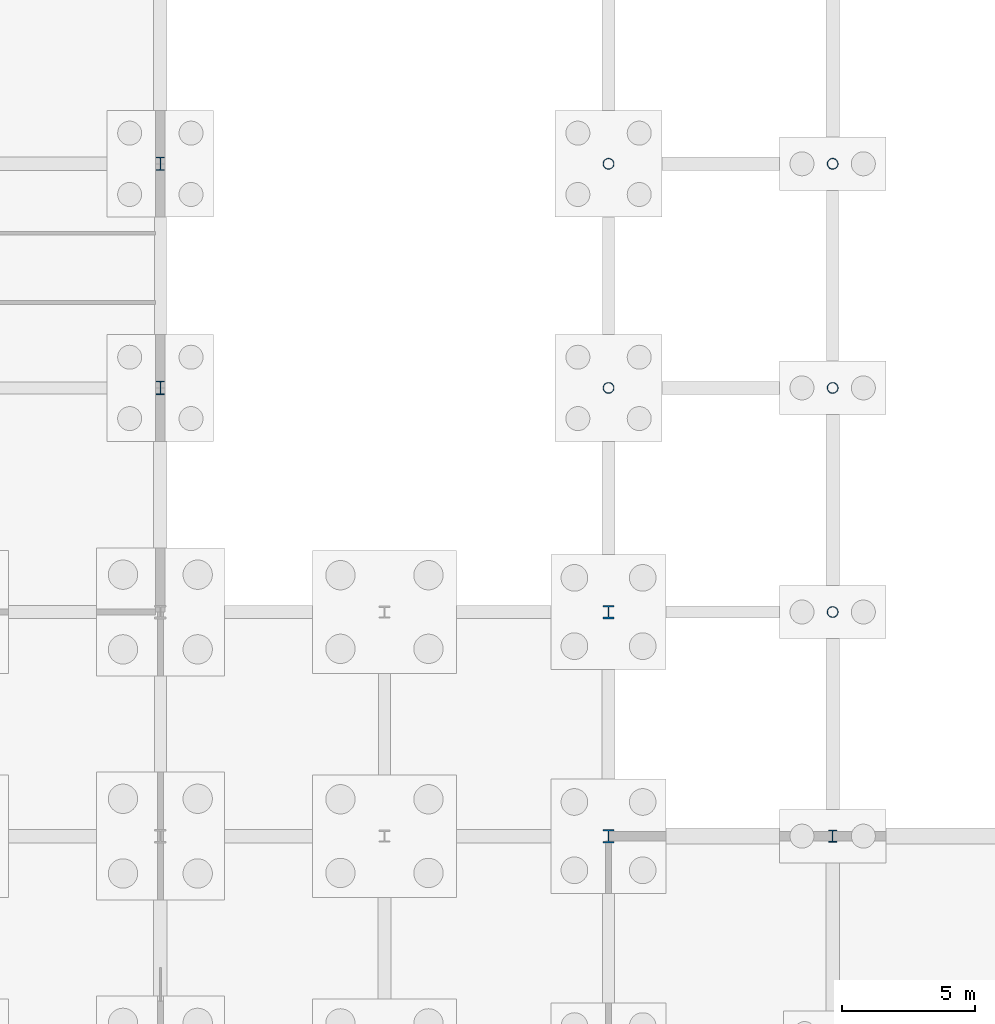
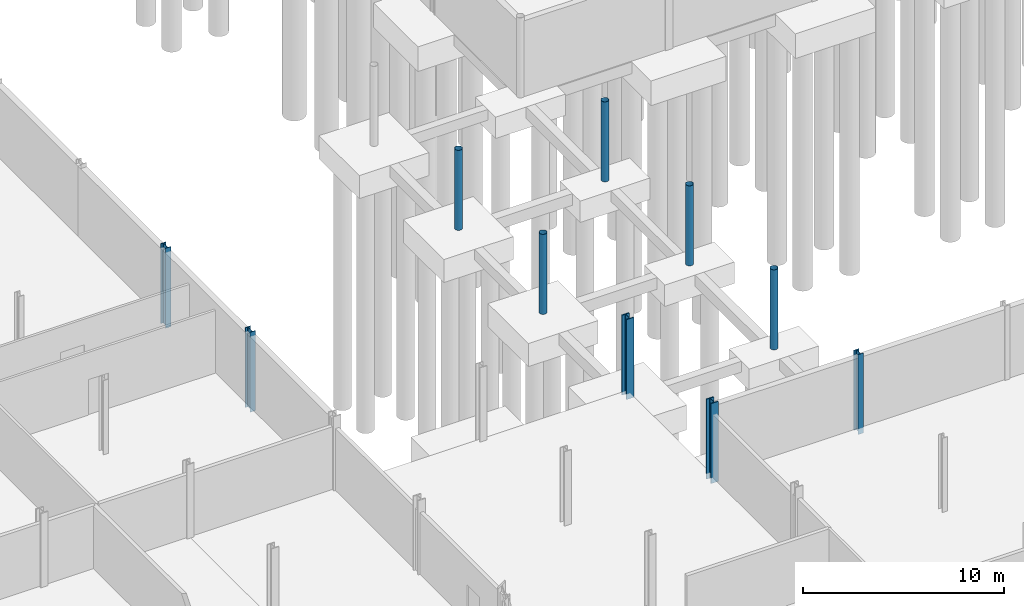
# One storey, part 15 of 51: 10 columns.
"""IFC4 building model written with IfcOpenShell, lengths in metres."""

from ifc_helpers import new_model, si_unit, direction, frame, origin, origin_2d, place, context, subcontext, project, spatial, hollow_circle, i_section, extrude, material, material_profile, profile_set, type_object, element, save


model = new_model("IFC4")

# Units and contexts
model_context = context("Model", 3, precision=1e-05, world=origin(), true_north=direction((0.0, 1.0)))
body_context = subcontext(model_context, "Body", "Model", "MODEL_VIEW")
ifc_project = project(units=[si_unit("LENGTHUNIT", "METRE"), si_unit("AREAUNIT", "SQUARE_METRE"), si_unit("VOLUMEUNIT", "CUBIC_METRE"), si_unit("PLANEANGLEUNIT", "RADIAN"), si_unit("MASSUNIT", "GRAM", prefix="KILO")], contexts=[model_context])

# Site, building, storey
site_placement = place(None, origin())
site = spatial("IfcSite", under=ifc_project, at=site_placement, CompositionType="ELEMENT")
building_placement = place(site_placement, origin())
building = spatial("IfcBuilding", under=site, at=building_placement, Name="Qalvenar Corner Mobility Hub", CompositionType="ELEMENT")
storey_placement = place(building_placement, frame((0.0, 0.0, -4.5)))
storey = spatial("IfcBuildingStorey", under=building, at=storey_placement, Name="B1", CompositionType="ELEMENT", Elevation=-4.5)

# Columns
ifc_material = material(Name="Steel S355", Category="steel")
ifc_material_profile_1 = material_profile(ifc_material, hollow_circle(Radius=0.203125, WallThickness=0.012451171875, at=origin_2d()), Name="CHS406.4x12.5")
ifc_profile_set_1 = profile_set([ifc_material_profile_1], Name="Steel S355")
column_type_1 = type_object("IfcColumnType", Name="COL-CHS406", PredefinedType="COLUMN", material=ifc_profile_set_1)
for number, where, z_axis, x_axis, name in (
    (1, (50.39990234375, 50.39990234375, -0.35009765625), (0.0, 0.0, 1.0), (1.0, 0.0, 0.0), "Steel Column B1-G7-6"),
    (2, (50.39990234375, 58.800048828125, -0.35009765625), (0.0, 0.0, 1.0), (1.0, 0.0, 0.0), "Steel Column B1-G7-7"),
    (3, (58.800048828125, 42.0, -0.35009765625), (0.0, 0.0, 1.0), (1.0, 0.0, 0.0), "Steel Column B1-G8-5"),
    (4, (58.800048828125, 50.39990234375, -0.35009765625), (0.0, 0.0, 1.0), (1.0, 0.0, 0.0), "Steel Column B1-G8-6"),
    (5, (58.800048828125, 58.800048828125, -0.35009765625), (0.0, 0.0, 1.0), (1.0, 0.0, 0.0), "Steel Column B1-G8-7"),
):
    element("IfcColumn", number, at=place(storey_placement, frame(where, z_axis=z_axis, x_axis=x_axis)), inside=storey, type_object=column_type_1, Name=name, PredefinedType="COLUMN", context=body_context, shape_type="SweptSolid", body=[
        extrude(hollow_circle(Radius=0.203125, WallThickness=0.012451171875, at=origin_2d()), origin(), (0.0, 0.0, 1.0), 4.85009765625),
    ])
ifc_material_profile_2 = material_profile(ifc_material, i_section(OverallWidth=0.419921875, OverallDepth=0.5048828125, WebThickness=0.03662109375, FlangeThickness=0.05908203125, FilletRadius=0.014892578125, at=origin_2d()), Name="HD400x551")
ifc_profile_set_2 = profile_set([ifc_material_profile_2], Name="Steel S355")
column_type_2 = type_object("IfcColumnType", Name="COL-HD400X463", PredefinedType="COLUMN", material=ifc_profile_set_2)
for number, where, z_axis, x_axis, name in (
    (6, (50.39990234375, 33.60009765625, -0.35009765625), (0.0, 0.0, 1.0), (1.0, 0.0, 0.0), "Steel Column B1-G7-4"),
    (7, (50.39990234375, 42.0, -0.35009765625), (0.0, 0.0, 1.0), (1.0, 0.0, 0.0), "Steel Column B1-G7-5"),
):
    element("IfcColumn", number, at=place(storey_placement, frame(where, z_axis=z_axis, x_axis=x_axis)), inside=storey, type_object=column_type_2, Name=name, PredefinedType="COLUMN", context=body_context, shape_type="SweptSolid", body=[
        extrude(i_section(OverallWidth=0.419921875, OverallDepth=0.5048828125, WebThickness=0.03662109375, FlangeThickness=0.05908203125, FilletRadius=0.014892578125, at=origin_2d()), origin(), (0.0, 0.0, 1.0), 4.85009765625),
    ])
ifc_material_profile_3 = material_profile(ifc_material, i_section(OverallWidth=0.300048828125, OverallDepth=0.449951171875, WebThickness=0.013916015625, FlangeThickness=0.02587890625, FilletRadius=0.027099609375, at=origin_2d()), Name="HEB450")
ifc_profile_set_3 = profile_set([ifc_material_profile_3], Name="Steel S355")
column_type_3 = type_object("IfcColumnType", Name="COL-HEB450", PredefinedType="COLUMN", material=ifc_profile_set_3)
column_placement = place(storey_placement, frame((58.800048828125, 33.60009765625, -0.35009765625), z_axis=(0.0, 0.0, 1.0), x_axis=(1.0, 0.0, 0.0)))
element("IfcColumn", 8, at=column_placement, inside=storey, type_object=column_type_3, Name="Steel Column B1-G8-4", PredefinedType="COLUMN", context=body_context, shape_type="SweptSolid", body=[
    extrude(i_section(OverallWidth=0.300048828125, OverallDepth=0.449951171875, WebThickness=0.013916015625, FlangeThickness=0.02587890625, FilletRadius=0.027099609375, at=origin_2d()), origin(), (0.0, 0.0, 1.0), 4.85009765625),
])
ifc_material_profile_4 = material_profile(ifc_material, i_section(OverallWidth=0.300048828125, OverallDepth=0.5, WebThickness=0.014404296875, FlangeThickness=0.028076171875, FilletRadius=0.027099609375, at=origin_2d()), Name="HEB500")
ifc_profile_set_4 = profile_set([ifc_material_profile_4], Name="Steel S355")
column_type_4 = type_object("IfcColumnType", Name="COL-HEB500", PredefinedType="COLUMN", material=ifc_profile_set_4)
for number, where, z_axis, x_axis, name in (
    (9, (33.60009765625, 50.39990234375, -0.35009765625), (0.0, 0.0, 1.0), (1.0, 0.0, 0.0), "Steel Column B1-G5-6"),
    (10, (33.60009765625, 58.800048828125, -0.35009765625), (0.0, 0.0, 1.0), (1.0, 0.0, 0.0), "Steel Column B1-G5-7"),
):
    element("IfcColumn", number, at=place(storey_placement, frame(where, z_axis=z_axis, x_axis=x_axis)), inside=storey, type_object=column_type_4, Name=name, PredefinedType="COLUMN", context=body_context, shape_type="SweptSolid", body=[
        extrude(i_section(OverallWidth=0.300048828125, OverallDepth=0.5, WebThickness=0.014404296875, FlangeThickness=0.028076171875, FilletRadius=0.027099609375, at=origin_2d()), origin(), (0.0, 0.0, 1.0), 4.85009765625),
    ])

save(model, "model.ifc")
